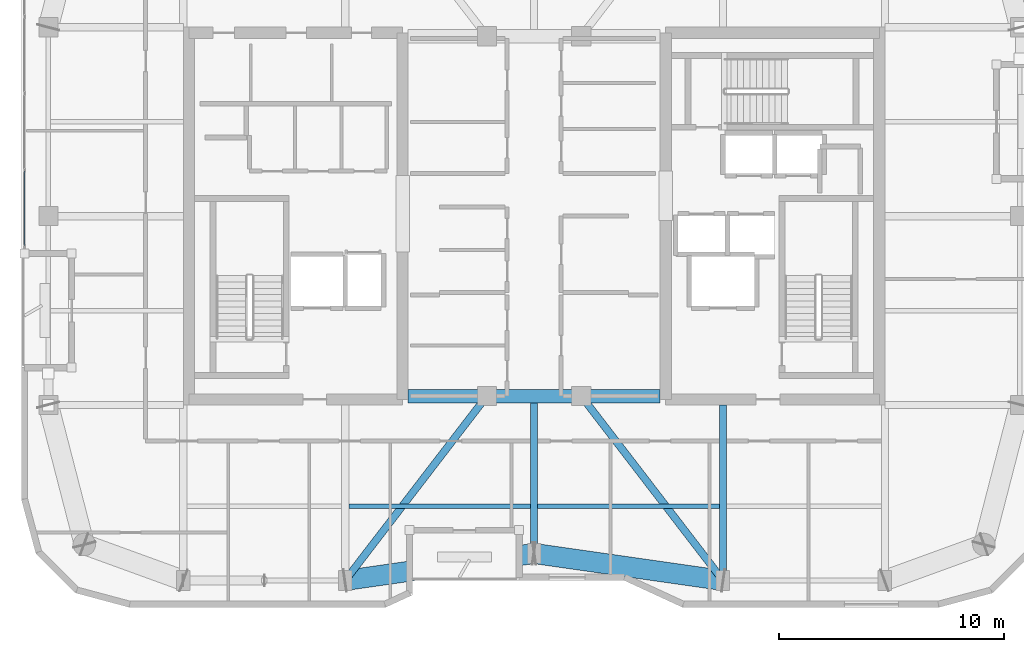
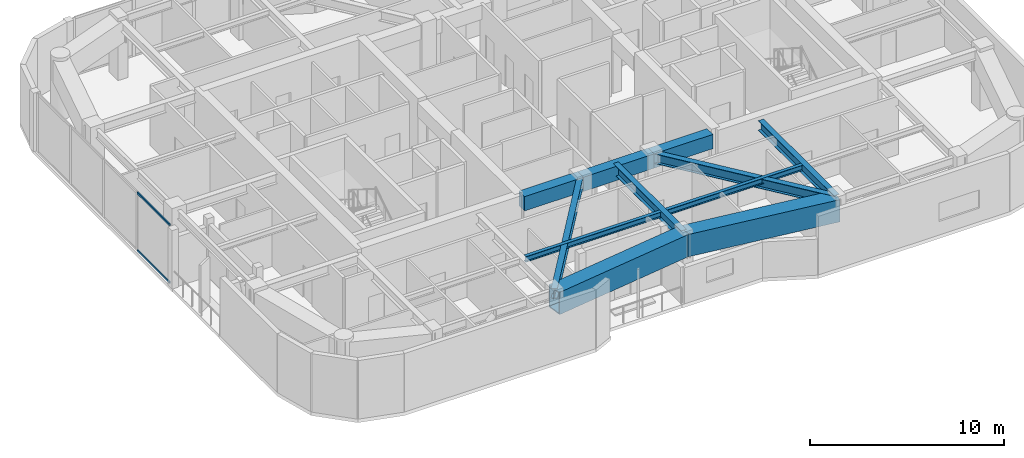
# One storey, part 3 of 16: 11 beams, 2 members, 1 element without a shape of its own.
"""IFC4 building model written with IfcOpenShell, lengths in metres."""

from ifc_helpers import new_model, si_unit, direction, frame, origin, origin_2d, place, context, subcontext, project, spatial, rectangle, hollow_rectangle, i_section, extrude, material, layer, layer_set, material_profile, profile_set, type_object, element, aggregate, save


model = new_model("IFC4")

# Units and contexts
model_context = context("Model", 3, precision=1e-05, world=origin(), true_north=direction((0.0, 1.0)))
body_context = subcontext(model_context, "Body", "Model", "MODEL_VIEW")
ifc_project = project(units=[si_unit("LENGTHUNIT", "METRE"), si_unit("AREAUNIT", "SQUARE_METRE"), si_unit("VOLUMEUNIT", "CUBIC_METRE"), si_unit("PLANEANGLEUNIT", "RADIAN"), si_unit("MASSUNIT", "GRAM", prefix="KILO")], contexts=[model_context])

# Site, building, storey
site_placement = place(None, origin())
site = spatial("IfcSite", under=ifc_project, at=site_placement, CompositionType="ELEMENT")
building_placement = place(site_placement, origin())
building = spatial("IfcBuilding", under=site, at=building_placement, Name="Kiyonajd Concourse Tower", CompositionType="ELEMENT")
storey_placement = place(building_placement, frame((0.0, 0.0, 306.300048828125)))
storey = spatial("IfcBuildingStorey", under=building, at=storey_placement, Name="L77", CompositionType="ELEMENT", Elevation=306.300048828125)

# Beams
ifc_material_1 = material(Name="Concrete C60/75", Category="concrete")
ifc_material_profile_1 = material_profile(ifc_material_1, rectangle(XDim=0.60009765625, YDim=0.89990234375, at=origin_2d()), Name="RCBM-600x900")
ifc_profile_set_1 = profile_set([ifc_material_profile_1], Name="Concrete C60/75")
beam_type_1 = type_object("IfcBeamType", Name="BM-COUP-900", PredefinedType="LINTEL", material=ifc_profile_set_1)
beam_1_placement = place(storey_placement, frame((42.39990234375, 28.0, 3.22998046875), z_axis=(1.0, 0.0, 0.0), x_axis=(0.0, 1.0, 0.0)))
element("IfcBeam", 1, at=beam_1_placement, inside=storey, type_object=beam_type_1, Name="L77 Core Coupling Beam S1", PredefinedType="LINTEL", context=body_context, shape_type="SweptSolid", body=[
    extrude(rectangle(XDim=0.60009765625, YDim=0.89990234375, at=origin_2d()), origin(), (0.0, 0.0, 1.0), 3.5),
])
beam_2_placement = place(storey_placement, frame((45.89990234375, 28.0, 3.22998046875), z_axis=(1.0, 0.0, 0.0), x_axis=(0.0, 1.0, 0.0)))
element("IfcBeam", 2, at=beam_2_placement, inside=storey, type_object=beam_type_1, Name="L77 Core Coupling Beam S2", PredefinedType="LINTEL", context=body_context, shape_type="SweptSolid", body=[
    extrude(rectangle(XDim=0.60009765625, YDim=0.89990234375, at=origin_2d()), origin(), (0.0, 0.0, 1.0), 4.2001953125),
])
beam_3_placement = place(storey_placement, frame((50.10009765625, 28.0, 3.22998046875), z_axis=(1.0, 0.0, 0.0), x_axis=(0.0, 1.0, 0.0)))
element("IfcBeam", 3, at=beam_3_placement, inside=storey, type_object=beam_type_1, Name="L77 Core Coupling Beam S3", PredefinedType="LINTEL", context=body_context, shape_type="SweptSolid", body=[
    extrude(rectangle(XDim=0.60009765625, YDim=0.89990234375, at=origin_2d()), origin(), (0.0, 0.0, 1.0), 3.5),
])
ifc_material_2 = material(Name="Steel ASTM A992 Grade 50", Category="steel")
ifc_material_profile_2 = material_profile(ifc_material_2, i_section(OverallWidth=0.205078125, OverallDepth=0.35400390625, WebThickness=0.009521484375, FlangeThickness=0.016845703125, at=origin_2d()), Name="W360X79")
ifc_profile_set_2 = profile_set([ifc_material_profile_2], Name="Steel ASTM A992 Grade 50")
beam_type_2 = type_object("IfcBeamType", Name="BM-JST-360", PredefinedType="JOIST", material=ifc_profile_set_2)
for number, where, z_axis, x_axis, name in (
    (4, (39.761962890625, 23.10009765625, 3.5029296875), (1.0, 0.0, 0.0), (0.0, 1.0, 0.0), "L77 Secondary Floor Joist"),
    (5, (48.162109375, 23.10009765625, 3.5029296875), (1.0, 0.0, 0.0), (0.0, 1.0, 0.0), "L77 Secondary Floor Joist"),
):
    element("IfcBeam", number, at=place(storey_placement, frame(where, z_axis=z_axis, x_axis=x_axis)), inside=storey, type_object=beam_type_2, Name=name, PredefinedType="JOIST", context=body_context, shape_type="SweptSolid", body=[
        extrude(i_section(OverallWidth=0.205078125, OverallDepth=0.35400390625, WebThickness=0.009521484375, FlangeThickness=0.016845703125, at=origin_2d()), origin(), (0.0, 0.0, 1.0), 8.075927734375),
    ])
ifc_material_profile_3 = material_profile(ifc_material_2, i_section(OverallWidth=0.326904296875, OverallDepth=0.6220703125, WebThickness=0.015380859375, FlangeThickness=0.0244140625, at=origin_2d()), Name="W610X195")
ifc_profile_set_3 = profile_set([ifc_material_profile_3], Name="Steel ASTM A992 Grade 50")
beam_type_3 = type_object("IfcBeamType", Name="BM-TWR-610A", PredefinedType="BEAM", material=ifc_profile_set_3)
for number, where, z_axis, x_axis, name in (
    (6, (39.60009765625, 19.800048828125, 3.368896484375), (0.609233709922, 0.792990722956, 0.0), (-0.792990722956, 0.609233709922, 0.0), "L77 Core Tie Girder"),
    (7, (50.10009765625, 28.0, 3.368896484375), (0.609233709922, -0.792990722956, 0.0), (0.792990722956, 0.609233709922, 0.0), "L77 Core Tie Girder"),
):
    element("IfcBeam", number, at=place(storey_placement, frame(where, z_axis=z_axis, x_axis=x_axis)), inside=storey, type_object=beam_type_3, Name=name, PredefinedType="BEAM", context=body_context, shape_type="SweptSolid", body=[
        extrude(i_section(OverallWidth=0.326904296875, OverallDepth=0.6220703125, WebThickness=0.015380859375, FlangeThickness=0.0244140625, at=origin_2d()), origin(), (0.0, 0.0, 1.0), 10.340576171875),
    ])
ifc_material_profile_4 = material_profile(ifc_material_2, i_section(OverallWidth=0.323974609375, OverallDepth=0.611083984375, WebThickness=0.0126953125, FlangeThickness=0.01904296875, at=origin_2d()), Name="W610X155")
ifc_profile_set_4 = profile_set([ifc_material_profile_4], Name="Steel ASTM A992 Grade 50")
beam_type_4 = type_object("IfcBeamType", Name="BM-TWR-610B", PredefinedType="BEAM", material=ifc_profile_set_4)
beam_4_placement = place(storey_placement, frame((56.39990234375, 19.800048828125, 3.37451171875), z_axis=(0.0, 1.0, 0.0), x_axis=(-1.0, 0.0, 0.0)))
element("IfcBeam", 8, at=beam_4_placement, inside=storey, type_object=beam_type_4, Name="L77 South Lease Girder", PredefinedType="BEAM", context=body_context, shape_type="SweptSolid", body=[
    extrude(i_section(OverallWidth=0.323974609375, OverallDepth=0.611083984375, WebThickness=0.0126953125, FlangeThickness=0.01904296875, at=origin_2d()), origin(), (0.0, 0.0, 1.0), 7.800048828125),
])
beam_5_placement = place(storey_placement, frame((48.0, 21.0, 3.37451171875), z_axis=(0.0, 1.0, 0.0), x_axis=(-1.0, 0.0, 0.0)))
element("IfcBeam", 9, at=beam_5_placement, inside=storey, type_object=beam_type_4, Name="L77 South Ribbon Girder", PredefinedType="BEAM", context=body_context, shape_type="SweptSolid", body=[
    extrude(i_section(OverallWidth=0.323974609375, OverallDepth=0.611083984375, WebThickness=0.0126953125, FlangeThickness=0.01904296875, at=origin_2d()), origin(), (0.0, 0.0, 1.0), 7.0),
])
ifc_material_3 = material(Name="Steel ASTM A572 Grade 50", Category="steel")
ifc_material_profile_5 = material_profile(ifc_material_3, hollow_rectangle(XDim=0.89990234375, YDim=1.39990234375, WallThickness=0.070068359375, at=origin_2d()), Name="BOX-1400x900x70")
ifc_profile_set_5 = profile_set([ifc_material_profile_5], Name="Steel ASTM A572 Grade 50")
beam_type_5 = type_object("IfcBeamType", Name="BM-XFER-1400", PredefinedType="BEAM", material=ifc_profile_set_5)
for number, where, z_axis, x_axis, name in (
    (10, (39.60009765625, 19.800048828125, 2.97998046875), (0.989950069105, 0.141417328072, 0.0), (-0.141417328072, 0.989950069105, 0.0), "L77 Perimeter Bundled Tube Spandrel"),
    (11, (48.0, 21.0, 2.97998046875), (0.989950069105, -0.141417328072, 0.0), (0.141417328072, 0.989950069105, 0.0), "L77 Perimeter Bundled Tube Spandrel"),
):
    element("IfcBeam", number, at=place(storey_placement, frame(where, z_axis=z_axis, x_axis=x_axis)), inside=storey, type_object=beam_type_5, Name=name, PredefinedType="BEAM", context=body_context, shape_type="SweptSolid", body=[
        extrude(hollow_rectangle(XDim=0.89990234375, YDim=1.39990234375, WallThickness=0.070068359375, at=origin_2d()), origin(), (0.0, 0.0, 1.0), 8.485107421875),
    ])

# Curtain wall, members
ifc_material_4 = material(Name="Thermally Broken Anodised Aluminium", Category="aluminium")
ifc_layer = layer(ifc_material_4, 0.179931640625)
ifc_layer_set = layer_set([ifc_layer], Name="Thermally Broken Anodised Aluminium")
curtain_wall_type = type_object("IfcCurtainWallType", Name="CW-SYS-04", PredefinedType="NOTDEFINED", material=ifc_layer_set)
curtain_wall_placement = place(storey_placement, origin())
curtain_wall = element("IfcCurtainWall", 12, at=curtain_wall_placement, inside=storey, type_object=curtain_wall_type, Name="L77 Unitised Curtain Wall CW4", PredefinedType="NOTDEFINED")
ifc_material_profile_6 = material_profile(ifc_material_4, hollow_rectangle(XDim=0.06494140625, YDim=0.139892578125, WallThickness=0.00390625, at=origin_2d()), Name="TRAN-65x140")
ifc_profile_set_6 = profile_set([ifc_material_profile_6], Name="Thermally Broken Anodised Aluminium")
member_type = type_object("IfcMemberType", Name="MB-CW-TRAN1", PredefinedType="USERDEFINED", material=ifc_profile_set_6)
member_1_placement = place(storey_placement, frame((25.340087890625, 34.695068359375, 0.032470703125), z_axis=(0.0, 1.0, 0.0), x_axis=(-1.0, 0.0, 0.0)))
member_1 = element("IfcMember", 13, at=member_1_placement, type_object=member_type, Name="CW4 transom 1.1", ObjectType="TRANSOM", PredefinedType="USERDEFINED", context=body_context, shape_type="SweptSolid", body=[
    extrude(hollow_rectangle(XDim=0.06494140625, YDim=0.139892578125, WallThickness=0.00390625, at=origin_2d()), origin(), (0.0, 0.0, 1.0), 3.31787109375),
])
member_2_placement = place(storey_placement, frame((25.340087890625, 34.695068359375, 3.6474609375), z_axis=(0.0, 1.0, 0.0), x_axis=(-1.0, 0.0, 0.0)))
member_2 = element("IfcMember", 14, at=member_2_placement, type_object=member_type, Name="CW4 transom 1.2", ObjectType="TRANSOM", PredefinedType="USERDEFINED", context=body_context, shape_type="SweptSolid", body=[
    extrude(hollow_rectangle(XDim=0.06494140625, YDim=0.139892578125, WallThickness=0.00390625, at=origin_2d()), origin(), (0.0, 0.0, 1.0), 3.31787109375),
])
aggregate(curtain_wall, [member_1, member_2])

save(model, "model.ifc")
